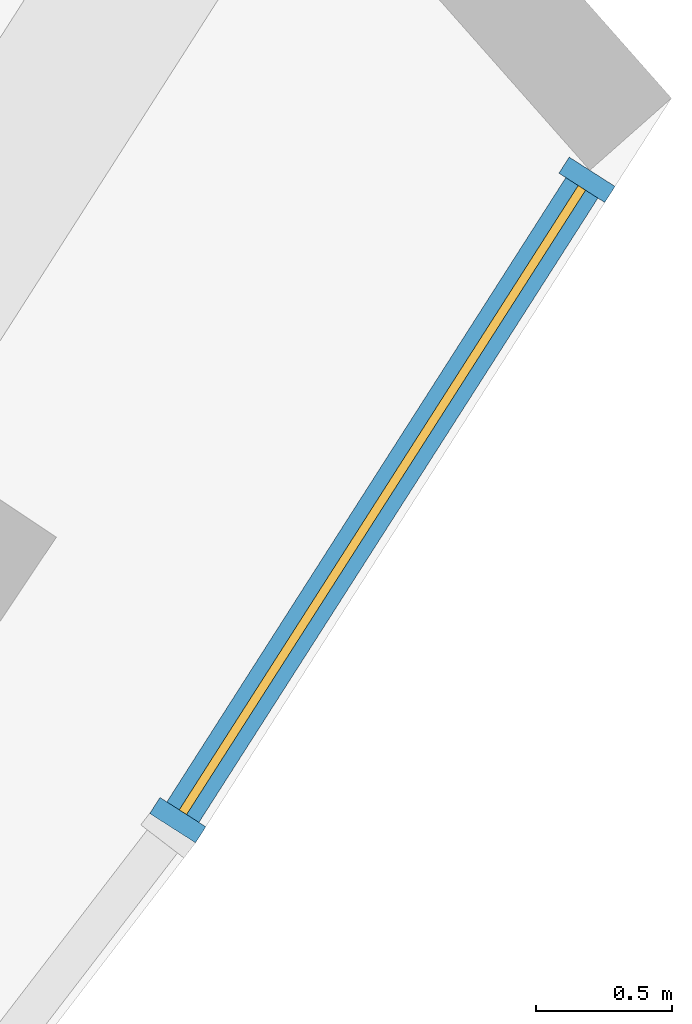
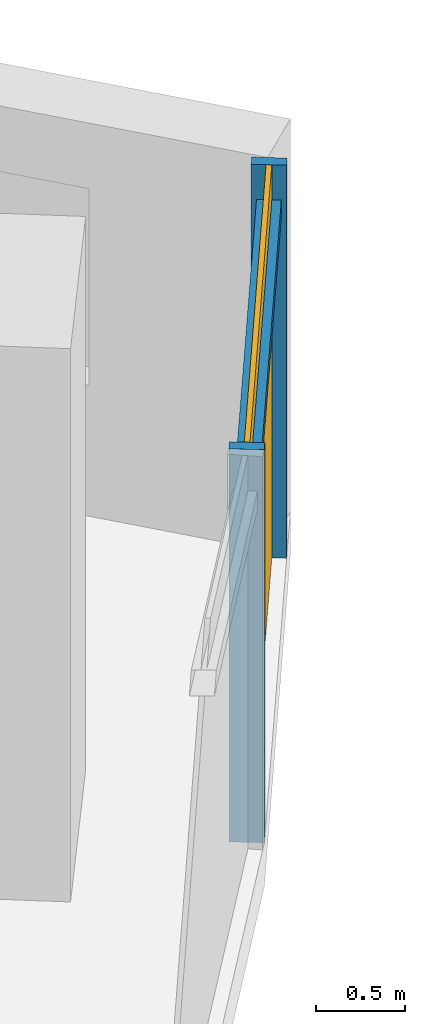
# One storey, part 24 of 31: 3 members, 1 curtain wall.
"""IFC4 building model written with IfcOpenShell, lengths in metres."""

from ifc_helpers import new_model, si_unit, direction, frame, origin, origin_2d, place, context, subcontext, project, spatial, rectangle, extrude, material, material_profile, profile_set, type_object, element, aggregate, save


model = new_model("IFC4")

# Units and contexts
model_context = context("Model", 3, precision=1e-05, world=origin(), true_north=direction((0.0, 1.0)))
body_context = subcontext(model_context, "Body", "Model", "MODEL_VIEW")
ifc_project = project(units=[si_unit("LENGTHUNIT", "METRE"), si_unit("AREAUNIT", "SQUARE_METRE"), si_unit("VOLUMEUNIT", "CUBIC_METRE"), si_unit("PLANEANGLEUNIT", "RADIAN"), si_unit("MASSUNIT", "GRAM", prefix="KILO")], contexts=[model_context])

# Member
ifc_material = material(Name="Aluminium 6063-T6 anodised", Category="aluminium")
ifc_material_profile_1 = material_profile(ifc_material, rectangle(XDim=0.199951171875, YDim=0.070068359375, at=origin_2d()))
ifc_profile_set_1 = profile_set([ifc_material_profile_1], Name="Aluminium 6063-T6 anodised")
member_type_1 = type_object("IfcMemberType", Name="Mullion 70 x 200 aluminium", PredefinedType="MULLION", material=ifc_profile_set_1)
site_placement = place(None, origin())
building_placement = place(site_placement, origin())
storey_placement = place(building_placement, frame((0.0, 0.0, 74.699951171875)))
member_1_placement = place(storey_placement, frame((66.1611328125, -44.167724609375, 0.0), z_axis=(0.0, 0.0, 1.0), x_axis=(-0.842628616007, 0.538495139706, 0.0)))
member_1 = element("IfcMember", 1, at=member_1_placement, type_object=member_type_1, Name="e-cw1-L15-out16/M00", PredefinedType="MULLION", context=body_context, shape_type="SweptSolid", body=[
    extrude(rectangle(XDim=0.199951171875, YDim=0.070068359375, at=origin_2d()), origin(), (0.0, 0.0, 1.0), 2.699951171875),
])

member_2_placement = place(storey_placement, frame((67.665771484375, -41.813232421875, 0.0), z_axis=(0.0, 0.0, 1.0), x_axis=(-0.842628616007, 0.538495139706, 0.0)))
member_2 = element("IfcMember", 2, at=member_2_placement, type_object=member_type_1, Name="e-cw1-L15-out16/M01", PredefinedType="MULLION", context=body_context, shape_type="SweptSolid", body=[
    extrude(rectangle(XDim=0.199951171875, YDim=0.070068359375, at=origin_2d()), origin(), (0.0, 0.0, 1.0), 2.699951171875),
])

ifc_material_profile_2 = material_profile(ifc_material, rectangle(XDim=0.139892578125, YDim=0.1201171875, at=origin_2d()))
ifc_profile_set_2 = profile_set([ifc_material_profile_2], Name="Aluminium 6063-T6 anodised")
member_type_2 = type_object("IfcMemberType", Name="Transom 120 x 140 aluminium", PredefinedType="USERDEFINED", material=ifc_profile_set_2)
member_3_placement = place(storey_placement, frame((66.179931640625, -44.138427734375, 2.400146484375), z_axis=(0.538486497844, 0.842634138663, 0.0), x_axis=(-0.842634138663, 0.538486497844, 0.0)))
member_3 = element("IfcMember", 3, at=member_3_placement, type_object=member_type_2, Name="e-cw1-L15-out16/T00", ObjectType="TRANSOM", PredefinedType="USERDEFINED", context=body_context, shape_type="SweptSolid", body=[
    extrude(rectangle(XDim=0.139892578125, YDim=0.1201171875, at=origin_2d()), origin(), (0.0, 0.0, 1.0), 2.724365234375),
])

# Site, building, storey
site = spatial("IfcSite", under=ifc_project, at=site_placement, CompositionType="ELEMENT")
building = spatial("IfcBuilding", under=site, at=building_placement, Name="Qamariyya Broadcast Tower", CompositionType="ELEMENT")
storey = spatial("IfcBuildingStorey", under=building, at=storey_placement, Name="L15", CompositionType="ELEMENT", Elevation=74.699951171875)

# Curtain wall
curtain_wall_type = type_object("IfcCurtainWallType", Name="Unitised curtain wall, anodised aluminium", PredefinedType="NOTDEFINED", material=ifc_material)
curtain_wall_placement = place(storey_placement, origin())
curtain_wall = element("IfcCurtainWall", 4, at=curtain_wall_placement, inside=storey, type_object=curtain_wall_type, Name="e-cw1-L15-out16", PredefinedType="NOTDEFINED", context=body_context, shape_type="SweptSolid", body=[
    extrude(rectangle(XDim=2.72412109375, YDim=0.031982421875, at=origin_2d()), frame((66.91357421875, -42.99072265625, 0.0), x_axis=(0.538485120354, 0.842635018948, 0.0)), (0.0, 0.0, 1.0), 2.340087890625),
    extrude(rectangle(XDim=2.72412109375, YDim=0.031982421875, at=origin_2d()), frame((66.91357421875, -42.99072265625, 2.4599609375), x_axis=(0.538485120354, 0.842635018948, 0.0)), (0.0, 0.0, 1.0), 0.239990234375),
])

aggregate(curtain_wall, [member_1, member_2, member_3])

save(model, "model.ifc")
